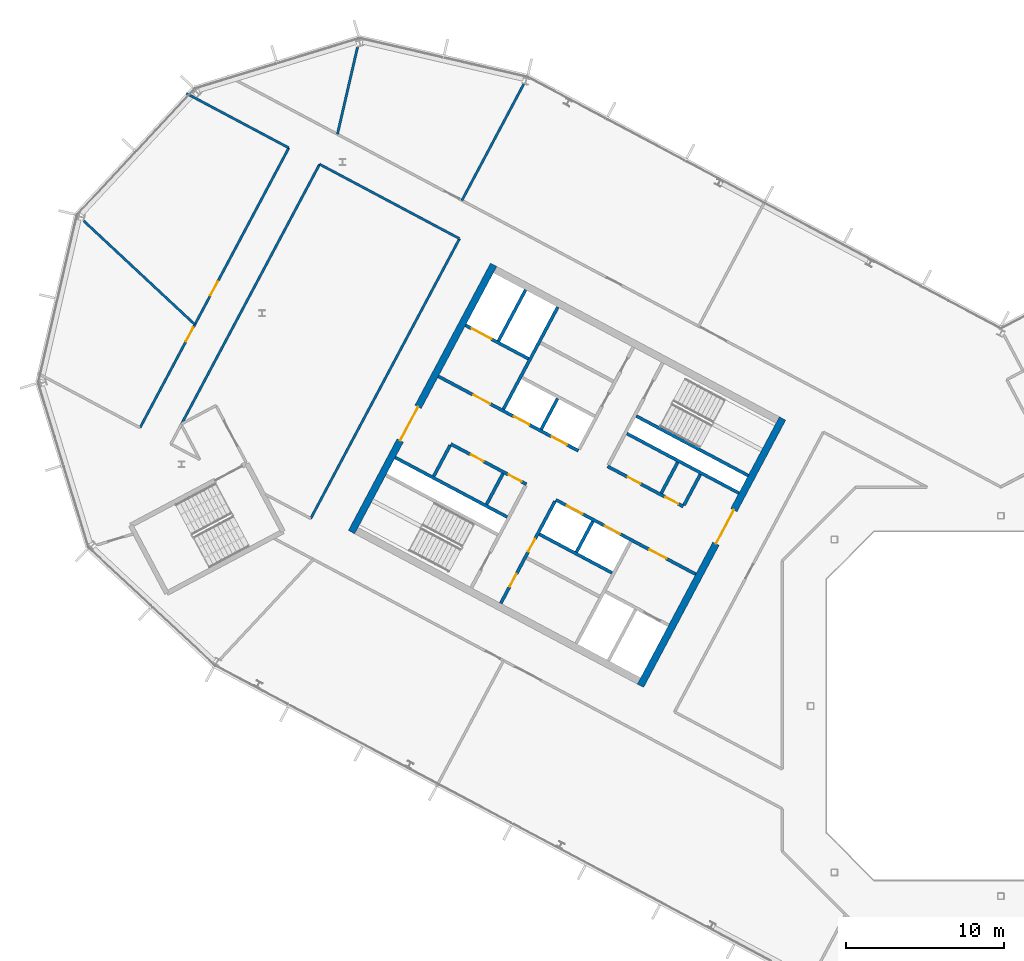
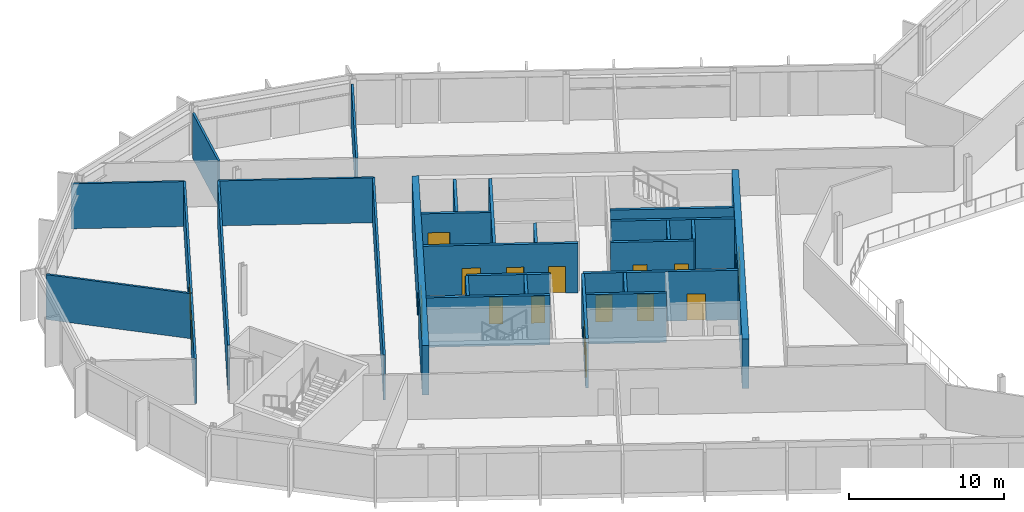
# One storey, part 14 of 26: 28 walls, 17 doors, 17 openings.
"""IFC4 building model written with IfcOpenShell, lengths in metres."""

import ifcopenshell
import ifcopenshell.guid

model = None  # the IFC model being written
_history = None  # IfcOwnerHistory: only IFC2X3 demands one
_inside = {}  # id of a spatial element -> (the spatial element, [elements in it])
_under = {}  # id of a project, library or spatial element -> (it, [spatial elements below it])
_declared = {}  # id of a project -> (the project, [libraries it declares])
_typed = {}  # id of a type object -> (the type object, [elements of that type])
_made_of = {}  # id of a material, layer set ... -> (it, [elements and type objects made of it])


def new_model(schema):
    """Start an empty IFC model of exactly this schema.

    Asked for "IFC4X3", IfcOpenShell would pick the latest addendum, in which some entities
    have other attributes; the version numbers below select the first issue.
    IFC2X3 requires an IfcOwnerHistory on every rooted entity: one is made here for all.
    """
    global model, _history
    if schema == "IFC4X3":
        model = ifcopenshell.file(schema_version=(4, 3, 0, 0))
    else:
        model = ifcopenshell.file(schema=schema)
    _inside.clear()
    _under.clear()
    _declared.clear()
    _typed.clear()
    _made_of.clear()
    _history = None
    if model.schema == "IFC2X3":
        org = make("IfcOrganization", Name="unknown")
        user = make(
            "IfcPersonAndOrganization",
            ThePerson=make("IfcPerson", FamilyName="unknown"),
            TheOrganization=org,
        )
        app = make(
            "IfcApplication",
            ApplicationDeveloper=org,
            Version="unknown",
            ApplicationFullName="unknown",
            ApplicationIdentifier="unknown",
        )
        _history = make(
            "IfcOwnerHistory",
            OwningUser=user,
            OwningApplication=app,
            ChangeAction="ADDED",
            CreationDate=0,
        )
    return model


def make(cls, **values):
    """One entity of the class cls with the attributes given. An attribute that is None is left unset."""
    return model.create_entity(
        cls, **{name: value for name, value in values.items() if value is not None}
    )


def rooted(cls, **values):
    """An entity with a GlobalId (a new one), such as an element, a storey or a relation."""
    return make(cls, GlobalId=ifcopenshell.guid.new(), OwnerHistory=_history, **values)


def si_unit(unit_type, name, prefix=None):
    """IfcSIUnit, for example si_unit("LENGTHUNIT", "METRE", prefix="MILLI")."""
    return make("IfcSIUnit", UnitType=unit_type, Prefix=prefix, Name=name)


def assignment(units):
    """IfcUnitAssignment: the units of a project."""
    return None if units is None else make("IfcUnitAssignment", Units=units)


def point(xyz):
    """IfcCartesianPoint."""
    return None if xyz is None else make("IfcCartesianPoint", Coordinates=xyz)


def direction(xyz):
    """IfcDirection."""
    return None if xyz is None else make("IfcDirection", DirectionRatios=xyz)


def frame(location, z_axis=None, x_axis=None):
    """IfcAxis2Placement3D, a coordinate frame: its origin and axes. An axis left out is left unset."""
    return make(
        "IfcAxis2Placement3D",
        Location=point(location),
        Axis=direction(z_axis),
        RefDirection=direction(x_axis),
    )


def frame_2d(location, x_axis=None):
    """IfcAxis2Placement2D, a coordinate frame in the plane: its origin and x axis."""
    return make(
        "IfcAxis2Placement2D", Location=point(location), RefDirection=direction(x_axis)
    )


def origin():
    """The frame at (0, 0, 0) with its axes left unset."""
    return frame((0.0, 0.0, 0.0))


def place(relative_to, where):
    """IfcLocalPlacement: puts the frame where relative to a parent placement (None: the world)."""
    return make(
        "IfcLocalPlacement", PlacementRelTo=relative_to, RelativePlacement=where
    )


def context(
    kind, dimensions, precision=None, world=None, true_north=None, identifier=None
):
    """IfcGeometricRepresentationContext, for example the 3D "Model" context."""
    return make(
        "IfcGeometricRepresentationContext",
        ContextIdentifier=identifier,
        ContextType=kind,
        CoordinateSpaceDimension=dimensions,
        Precision=precision,
        WorldCoordinateSystem=world,
        TrueNorth=true_north,
    )


def subcontext(parent, identifier, kind, view, scale=None):
    """IfcGeometricRepresentationSubContext, for example "Body" below "Model"."""
    return make(
        "IfcGeometricRepresentationSubContext",
        ContextIdentifier=identifier,
        ContextType=kind,
        ParentContext=parent,
        TargetScale=scale,
        TargetView=view,
    )


def project(units=None, contexts=None):
    """IfcProject with its units and contexts."""
    return rooted(
        "IfcProject",
        Name="project",
        RepresentationContexts=contexts,
        UnitsInContext=assignment(units),
    )


def spatial(cls, under=None, at=None, **own):
    """A site, building, storey or space (cls), placed at a placement, below another one or the project."""
    s = rooted(cls, ObjectPlacement=at, **own)
    if under is not None:
        _under.setdefault(under.id(), (under, []))[1].append(s)
    return s


def profile(cls, at=None, kind="AREA", **sizes):
    """A parametric profile (cls). Its sizes go by their IFC names, for example OverallWidth=200.0."""
    return make(cls, ProfileType=kind, Position=at, **sizes)


def rectangle(**sizes):
    """IfcRectangleProfileDef."""
    return profile("IfcRectangleProfileDef", **sizes)


def extrude(swept, where, along, depth):
    """IfcExtrudedAreaSolid: the profile swept, set in the frame where, extruded along a direction by depth."""
    return make(
        "IfcExtrudedAreaSolid",
        SweptArea=swept,
        Position=where,
        ExtrudedDirection=direction(along),
        Depth=depth,
    )


def shape(context_of_items, identifier, shape_type, items):
    """IfcShapeRepresentation: the items that make up one representation, for example the "Body"."""
    return make(
        "IfcShapeRepresentation",
        ContextOfItems=context_of_items,
        RepresentationIdentifier=identifier,
        RepresentationType=shape_type,
        Items=items,
    )


def material(Name=None, Category=None):
    """IfcMaterial."""
    return make("IfcMaterial", Name=Name, Category=Category)


def layer(
    of_material, thickness, ventilated=None, Name=None, Category=None, Priority=None
):
    """IfcMaterialLayer: one layer of a wall or slab, of a material (None: an air gap)."""
    return make(
        "IfcMaterialLayer",
        Material=of_material,
        LayerThickness=thickness,
        IsVentilated=ventilated,
        Name=Name,
        Category=Category,
        Priority=Priority,
    )


def layer_set(layers, Name=None):
    """IfcMaterialLayerSet."""
    return make("IfcMaterialLayerSet", MaterialLayers=layers, LayerSetName=Name)


def made_of(thing, what):
    """Note that an element or type object is made of a material, layer set ...; save() writes the relation."""
    if what is not None:
        _made_of.setdefault(what.id(), (what, []))[1].append(thing)
    return thing


def type_object(cls, material=None, **own):
    """A type object (cls), such as IfcWallType, which elements share."""
    return made_of(rooted(cls, **own), material)


def element(
    cls,
    number,
    at=None,
    inside=None,
    cuts=None,
    type_object=None,
    material=None,
    context=None,
    identifier="Body",
    shape_type=None,
    held_by="IfcProductDefinitionShape",
    body=None,
    shapes=None,
    **own,
):
    """One element of the class cls, such as IfcWall. Its Tag is "e" and its number.

    at: its placement. inside: the storey or other place that contains it. cuts: it is an
    opening in that element (IfcRelVoidsElement). A single representation is given by context,
    identifier, shape_type and body (its items); several are given by shapes. held_by: the class
    of the entity that holds the representations. save() writes the other relations.
    """
    e = rooted(cls, Tag="e%d" % number, ObjectPlacement=at, **own)
    if body is not None:
        shapes = [shape(context, identifier, shape_type, body)]
    if shapes is not None:
        e.Representation = make(held_by, Representations=shapes)
    if inside is not None:
        _inside.setdefault(inside.id(), (inside, []))[1].append(e)
    if cuts is not None:
        rooted(
            "IfcRelVoidsElement", RelatingBuildingElement=cuts, RelatedOpeningElement=e
        )
    if type_object is not None:
        _typed.setdefault(type_object.id(), (type_object, []))[1].append(e)
    return made_of(e, material)


def fill(opening, filler):
    """IfcRelFillsElement: the door or window that sits in an opening."""
    return rooted(
        "IfcRelFillsElement",
        RelatingOpeningElement=opening,
        RelatedBuildingElement=filler,
    )


def aggregate(whole, parts):
    """IfcRelAggregates: a whole, such as a stair, and the parts it consists of."""
    return rooted("IfcRelAggregates", RelatingObject=whole, RelatedObjects=parts)


def save(model, path):
    """Write the relations noted so far, then the file.

    IfcRelAggregates (storeys below a building ...), IfcRelContainedInSpatialStructure (elements
    in a storey), IfcRelDefinesByType, IfcRelAssociatesMaterial and IfcRelDeclares: one each for
    every whole, place, type object, material and project.
    """
    for whole, parts in _under.values():
        aggregate(whole, parts)
    for where, things in _inside.values():
        rooted(
            "IfcRelContainedInSpatialStructure",
            RelatedElements=things,
            RelatingStructure=where,
        )
    for kind, things in _typed.values():
        rooted("IfcRelDefinesByType", RelatedObjects=things, RelatingType=kind)
    for what, things in _made_of.values():
        rooted("IfcRelAssociatesMaterial", RelatedObjects=things, RelatingMaterial=what)
    for by, libraries in _declared.values():
        rooted("IfcRelDeclares", RelatingContext=by, RelatedDefinitions=libraries)
    model.write(path)


model = new_model("IFC4")

# Units and contexts
model_context = context("Model", 3, precision=1e-05, world=origin(), true_north=direction((0.0, 1.0)))
body_context = subcontext(model_context, "Body", "Model", "MODEL_VIEW")
ifc_project = project(units=[si_unit("LENGTHUNIT", "METRE"), si_unit("AREAUNIT", "SQUARE_METRE"), si_unit("VOLUMEUNIT", "CUBIC_METRE"), si_unit("PLANEANGLEUNIT", "RADIAN"), si_unit("MASSUNIT", "GRAM", prefix="KILO")], contexts=[model_context])

# Site, building, storey
site_placement = place(None, origin())
site = spatial("IfcSite", under=ifc_project, at=site_placement, CompositionType="ELEMENT")
building_placement = place(site_placement, origin())
building = spatial("IfcBuilding", under=site, at=building_placement, Name="Cormorant Relay Tower", CompositionType="ELEMENT")
storey_placement = place(building_placement, frame((0.0, 0.0, 277.5)))
storey = spatial("IfcBuildingStorey", under=building, at=storey_placement, Name="L62", CompositionType="ELEMENT", Elevation=277.5)

# Walls
ifc_material_1 = material(Name="Concrete 40 MPa", Category="concrete")
ifc_layer_1 = layer(ifc_material_1, 0.199951171875)
ifc_layer_set_1 = layer_set([ifc_layer_1], Name="Core internal wall 200")
wall_type_1 = type_object("IfcWallType", Name="Core internal wall 200", PredefinedType="SOLIDWALL", material=ifc_layer_set_1)
wall_1_placement = place(storey_placement, frame((-20.39013671875, 15.371826171875, 0.0), z_axis=(0.0, 0.0, 1.0), x_axis=(-0.4694473164, -0.882960484464, 0.0)))
element("IfcWall", 1, at=wall_1_placement, inside=storey, type_object=wall_type_1, Name="L62 core A shaft and room wall", PredefinedType="SOLIDWALL", context=body_context, shape_type="SweptSolid", body=[
    extrude(rectangle(XDim=2.199951171875, YDim=0.199951171875, at=frame_2d((1.10009765625, 0.0))), origin(), (0.0, 0.0, 1.0), 3.89990234375),
])
wall_2_placement = place(storey_placement, frame((-25.744140625, 11.64990234375, 0.0), z_axis=(0.0, 0.0, 1.0), x_axis=(-0.469487830541, -0.882938942948, 0.0)))
element("IfcWall", 2, at=wall_2_placement, inside=storey, type_object=wall_type_1, Name="L62 core A shaft and room wall", PredefinedType="SOLIDWALL", context=body_context, shape_type="SweptSolid", body=[
    extrude(rectangle(XDim=2.2001953125, YDim=0.199951171875, at=frame_2d((1.10009765625, 0.0))), origin(), (0.0, 0.0, 1.0), 3.89990234375),
])
for number, where, z_axis, x_axis, name in (
    (3, (-27.9658203125, 19.39990234375, 0.0), (0.0, 0.0, 1.0), (-0.4694473164, -0.882960484464, 0.0), "L62 core A shaft and room wall"),
    (4, (-31.41259765625, 14.663818359375, 0.0), (0.0, 0.0, 1.0), (-0.469533832133, -0.882914480843, 0.0), "L62 core A shaft and room wall"),
):
    element("IfcWall", number, at=place(storey_placement, frame(where, z_axis=z_axis, x_axis=x_axis)), inside=storey, type_object=wall_type_1, Name=name, PredefinedType="SOLIDWALL", context=body_context, shape_type="SweptSolid", body=[
        extrude(rectangle(XDim=2.199951171875, YDim=0.199951171875, at=frame_2d((1.10009765625, 0.0))), origin(), (0.0, 0.0, 1.0), 3.89990234375),
    ])
ifc_material_2 = material(Name="Concrete 50 MPa", Category="concrete")
ifc_layer_2 = layer(ifc_material_2, 0.199951171875)
ifc_layer_set_2 = layer_set([ifc_layer_2], Name="Core shaft wall 200")
wall_type_2 = type_object("IfcWallType", Name="Core shaft wall 200", PredefinedType="SHEAR", material=ifc_layer_set_2)
wall_3_placement = place(storey_placement, frame((-18.959716796875, 14.611328125, 0.0), z_axis=(0.0, 0.0, 1.0), x_axis=(-0.4694473164, -0.882960484464, 0.0)))
element("IfcWall", 5, at=wall_3_placement, inside=storey, type_object=wall_type_2, Name="L62 core A shaft wall", PredefinedType="SHEAR", context=body_context, shape_type="SweptSolid", body=[
    extrude(rectangle(XDim=2.199951171875, YDim=0.199951171875, at=frame_2d((1.10009765625, 0.0))), origin(), (0.0, 0.0, 1.0), 3.89990234375),
])

# Wall, openings, doors
wall_4_placement = place(storey_placement, frame((-28.128173828125, 12.91748046875, 0.0), z_axis=(0.0, 0.0, 1.0), x_axis=(-0.469454336211, -0.882956752176, 0.0)))
wall_4 = element("IfcWall", 6, at=wall_4_placement, inside=storey, type_object=wall_type_2, Name="L62 core A shaft wall", PredefinedType="SHEAR", context=body_context, shape_type="SweptSolid", body=[
    extrude(rectangle(XDim=7.300048828125, YDim=0.199951171875, at=frame_2d((3.64990234375, 0.0))), origin(), (0.0, 0.0, 1.0), 3.89990234375),
])
opening_1_placement = place(wall_4_placement, frame((2.699951171875, 0.0, 0.0)))
opening_1 = element("IfcOpeningElement", 7, at=opening_1_placement, cuts=wall_4, Name="Opening CDD-324", PredefinedType="OPENING", context=body_context, shape_type="SweptSolid", body=[
    extrude(rectangle(XDim=0.89990234375, YDim=2.10009765625, at=frame_2d((0.449951171875, 1.050048828125))), frame((0.0, 0.10986328125, 0.0), z_axis=(0.0, -1.0, 0.0), x_axis=(1.0, 0.0, 0.0)), (0.0, 0.0, 1.0), 0.219970703125),
])
opening_2_placement = place(wall_4_placement, frame((5.199951171875, 0.0, 0.0)))
opening_2 = element("IfcOpeningElement", 8, at=opening_2_placement, cuts=wall_4, Name="Opening CDD-325", PredefinedType="OPENING", context=body_context, shape_type="SweptSolid", body=[
    extrude(rectangle(XDim=0.89990234375, YDim=2.10009765625, at=frame_2d((0.449951171875, 1.050048828125))), frame((0.0, 0.10986328125, 0.0), z_axis=(0.0, -1.0, 0.0), x_axis=(1.0, 0.0, 0.0)), (0.0, 0.0, 1.0), 0.219970703125),
])
ifc_material_3 = material(Name="Steel fire door", Category="steel")
door_type_1 = type_object("IfcDoorType", Name="Core room door 900x2100", OperationType="SINGLE_SWING_LEFT", PredefinedType="DOOR", material=ifc_material_3)
door_1_placement = place(opening_1_placement, origin())
door_1 = element("IfcDoor", 9, at=door_1_placement, inside=storey, type_object=door_type_1, Name="Core room door 900x2100", OperationType="SINGLE_SWING_LEFT", OverallHeight=2.10009765625, OverallWidth=0.89990234375, PredefinedType="DOOR", context=body_context, shape_type="SweptSolid", body=[
    extrude(rectangle(XDim=0.89990234375, YDim=2.10009765625, at=frame_2d((0.449951171875, 1.050048828125))), frame((0.0, 0.02490234375, 0.0), z_axis=(0.0, -1.0, 0.0), x_axis=(1.0, 0.0, 0.0)), (0.0, 0.0, 1.0), 0.050048828125),
])
fill(opening_1, door_1)
door_2_placement = place(opening_2_placement, origin())
door_2 = element("IfcDoor", 10, at=door_2_placement, inside=storey, type_object=door_type_1, Name="Core room door 900x2100", OperationType="SINGLE_SWING_LEFT", OverallHeight=2.10009765625, OverallWidth=0.89990234375, PredefinedType="DOOR", context=body_context, shape_type="SweptSolid", body=[
    extrude(rectangle(XDim=0.89990234375, YDim=2.10009765625, at=frame_2d((0.449951171875, 1.050048828125))), frame((0.0, 0.02490234375, 0.0), z_axis=(0.0, -1.0, 0.0), x_axis=(1.0, 0.0, 0.0)), (0.0, 0.0, 1.0), 0.050048828125),
])
fill(opening_2, door_2)

# Walls
wall_5_placement = place(storey_placement, frame((-27.955322265625, 25.170654296875, 0.0), z_axis=(0.0, 0.0, 1.0), x_axis=(-0.469480409012, -0.88294288918, 0.0)))
element("IfcWall", 11, at=wall_5_placement, inside=storey, type_object=wall_type_2, Name="L62 core A shaft wall", PredefinedType="SHEAR", context=body_context, shape_type="SweptSolid", body=[
    extrude(rectangle(XDim=7.300048828125, YDim=0.199951171875, at=frame_2d((3.64990234375, 0.0))), origin(), (0.0, 0.0, 1.0), 3.89990234375),
])
wall_6_placement = place(storey_placement, frame((-34.750244140625, 16.4384765625, 0.0), z_axis=(0.0, 0.0, 1.0), x_axis=(-0.469401318492, -0.882984938828, 0.0)))
element("IfcWall", 12, at=wall_6_placement, inside=storey, type_object=wall_type_2, Name="L62 core A shaft wall", PredefinedType="SHEAR", context=body_context, shape_type="SweptSolid", body=[
    extrude(rectangle(XDim=2.199951171875, YDim=0.199951171875, at=frame_2d((1.10009765625, 0.0))), origin(), (0.0, 0.0, 1.0), 3.89990234375),
])
wall_7_placement = place(storey_placement, frame((-29.986083984375, 26.250244140625, 0.0), z_axis=(0.0, 0.0, 1.0), x_axis=(-0.469494272526, -0.882935517501, 0.0)))
element("IfcWall", 13, at=wall_7_placement, inside=storey, type_object=wall_type_2, Name="L62 core A shaft wall", PredefinedType="SHEAR", context=body_context, shape_type="SweptSolid", body=[
    extrude(rectangle(XDim=3.64990234375, YDim=0.199951171875, at=frame_2d((1.824951171875, 0.0))), origin(), (0.0, 0.0, 1.0), 3.89990234375),
])
wall_8_placement = place(storey_placement, frame((-15.94189453125, 14.53564453125, 0.0), z_axis=(0.0, 0.0, 1.0), x_axis=(-0.882946947542, 0.469472776449, 0.0)))
element("IfcWall", 14, at=wall_8_placement, inside=storey, type_object=wall_type_2, Name="L62 core A shaft wall", PredefinedType="SHEAR", context=body_context, shape_type="SweptSolid", body=[
    extrude(rectangle(XDim=8.000244140625, YDim=0.199951171875, at=frame_2d((4.0, 0.0))), origin(), (0.0, 0.0, 1.0), 3.89990234375),
])

# Wall, opening, door
wall_9_placement = place(storey_placement, frame((-29.80419921875, 21.906494140625, 0.0), z_axis=(0.0, 0.0, 1.0), x_axis=(-0.882960433586, 0.469447412093, 0.0)))
wall_9 = element("IfcWall", 15, at=wall_9_placement, inside=storey, type_object=wall_type_2, Name="L62 core A shaft wall", PredefinedType="SHEAR", context=body_context, shape_type="SweptSolid", body=[
    extrude(rectangle(XDim=4.5, YDim=0.199951171875, at=frame_2d((2.25, 0.0))), origin(), (0.0, 0.0, 1.0), 3.89990234375),
])
opening_3_placement = place(wall_9_placement, frame((2.64990234375, 0.0, 0.0)))
opening_3 = element("IfcOpeningElement", 16, at=opening_3_placement, cuts=wall_9, Name="Opening LD3-015", PredefinedType="OPENING", context=body_context, shape_type="SweptSolid", body=[
    extrude(rectangle(XDim=1.39990234375, YDim=2.39990234375, at=frame_2d((0.699951171875, 1.199951171875))), frame((0.0, 0.10986328125, 0.0), z_axis=(0.0, -1.0, 0.0), x_axis=(1.0, 0.0, 0.0)), (0.0, 0.0, 1.0), 0.219970703125),
])
ifc_material_4 = material(Name="Stainless steel 316", Category="steel")
door_type_2 = type_object("IfcDoorType", Name="Lift landing door 1400x2400", OperationType="DOUBLE_DOOR_SLIDING", PredefinedType="DOOR", material=ifc_material_4)
door_3_placement = place(opening_3_placement, origin())
door_3 = element("IfcDoor", 17, at=door_3_placement, inside=storey, type_object=door_type_2, Name="SV1 landing door", OperationType="DOUBLE_DOOR_SLIDING", OverallHeight=2.39990234375, OverallWidth=1.39990234375, PredefinedType="DOOR", context=body_context, shape_type="SweptSolid", body=[
    extrude(rectangle(XDim=1.39990234375, YDim=2.39990234375, at=frame_2d((0.699951171875, 1.199951171875))), frame((0.0, 0.02490234375, 0.0), z_axis=(0.0, -1.0, 0.0), x_axis=(1.0, 0.0, 0.0)), (0.0, 0.0, 1.0), 0.050048828125),
])
fill(opening_3, door_3)

# Wall
wall_10_placement = place(storey_placement, frame((-16.52880859375, 13.43212890625, 0.0), z_axis=(0.0, 0.0, 1.0), x_axis=(-0.88295287151, 0.469461634952, 0.0)))
element("IfcWall", 18, at=wall_10_placement, inside=storey, type_object=wall_type_2, Name="L62 core A shaft wall", PredefinedType="SHEAR", context=body_context, shape_type="SweptSolid", body=[
    extrude(rectangle(XDim=7.999755859375, YDim=0.199951171875, at=frame_2d((4.0, 0.0))), origin(), (0.0, 0.0, 1.0), 3.89990234375),
])

# Wall, openings, doors
wall_11_placement = place(storey_placement, frame((-20.03955078125, 12.58056640625, 0.0), z_axis=(0.0, 0.0, 1.0), x_axis=(-0.882942972946, 0.469480251476, 0.0)))
wall_11 = element("IfcWall", 19, at=wall_11_placement, inside=storey, type_object=wall_type_2, Name="L62 core A shaft wall", PredefinedType="SHEAR", context=body_context, shape_type="SweptSolid", body=[
    extrude(rectangle(XDim=5.39990234375, YDim=0.199951171875, at=frame_2d((2.699951171875, 0.0))), origin(), (0.0, 0.0, 1.0), 3.89990234375),
])
opening_4_placement = place(wall_11_placement, frame((0.360107421875, 0.0, 0.0)))
opening_4 = element("IfcOpeningElement", 20, at=opening_4_placement, cuts=wall_11, Name="Opening CDD-322", PredefinedType="OPENING", context=body_context, shape_type="SweptSolid", body=[
    extrude(rectangle(XDim=0.89990234375, YDim=2.10009765625, at=frame_2d((0.449951171875, 1.050048828125))), frame((0.0, 0.10986328125, 0.0), z_axis=(0.0, -1.0, 0.0), x_axis=(1.0, 0.0, 0.0)), (0.0, 0.0, 1.0), 0.219970703125),
])
opening_5_placement = place(wall_11_placement, frame((3.06005859375, 0.0, 0.0)))
opening_5 = element("IfcOpeningElement", 21, at=opening_5_placement, cuts=wall_11, Name="Opening CDD-323", PredefinedType="OPENING", context=body_context, shape_type="SweptSolid", body=[
    extrude(rectangle(XDim=0.89990234375, YDim=2.10009765625, at=frame_2d((0.449951171875, 1.050048828125))), frame((0.0, 0.10986328125, 0.0), z_axis=(0.0, -1.0, 0.0), x_axis=(1.0, 0.0, 0.0)), (0.0, 0.0, 1.0), 0.219970703125),
])
door_4_placement = place(opening_4_placement, origin())
door_4 = element("IfcDoor", 22, at=door_4_placement, inside=storey, type_object=door_type_1, Name="Core room door 900x2100", OperationType="SINGLE_SWING_LEFT", OverallHeight=2.10009765625, OverallWidth=0.89990234375, PredefinedType="DOOR", context=body_context, shape_type="SweptSolid", body=[
    extrude(rectangle(XDim=0.89990234375, YDim=2.10009765625, at=frame_2d((0.449951171875, 1.050048828125))), frame((0.0, 0.02490234375, 0.0), z_axis=(0.0, -1.0, 0.0), x_axis=(1.0, 0.0, 0.0)), (0.0, 0.0, 1.0), 0.050048828125),
])
fill(opening_4, door_4)
door_5_placement = place(opening_5_placement, origin())
door_5 = element("IfcDoor", 23, at=door_5_placement, inside=storey, type_object=door_type_1, Name="Core room door 900x2100", OperationType="SINGLE_SWING_LEFT", OverallHeight=2.10009765625, OverallWidth=0.89990234375, PredefinedType="DOOR", context=body_context, shape_type="SweptSolid", body=[
    extrude(rectangle(XDim=0.89990234375, YDim=2.10009765625, at=frame_2d((0.449951171875, 1.050048828125))), frame((0.0, 0.02490234375, 0.0), z_axis=(0.0, -1.0, 0.0), x_axis=(1.0, 0.0, 0.0)), (0.0, 0.0, 1.0), 0.050048828125),
])
fill(opening_5, door_5)

wall_12_placement = place(storey_placement, frame((-26.66162109375, 16.1015625, 0.0), z_axis=(0.0, 0.0, 1.0), x_axis=(-0.882940221191, 0.469485426614, 0.0)))
wall_12 = element("IfcWall", 24, at=wall_12_placement, inside=storey, type_object=wall_type_2, Name="L62 core A shaft wall", PredefinedType="SHEAR", context=body_context, shape_type="SweptSolid", body=[
    extrude(rectangle(XDim=10.0, YDim=0.199951171875, at=frame_2d((5.0, 0.0))), origin(), (0.0, 0.0, 1.0), 3.89990234375),
])
opening_6_placement = place(wall_12_placement, frame((6.300048828125, 0.0, 0.0)))
opening_6 = element("IfcOpeningElement", 25, at=opening_6_placement, cuts=wall_12, Name="Opening CDC-034", PredefinedType="OPENING", context=body_context, shape_type="SweptSolid", body=[
    extrude(rectangle(XDim=1.199951171875, YDim=2.10009765625, at=frame_2d((0.60009765625, 1.050048828125))), frame((0.0, 0.10986328125, 0.0), z_axis=(0.0, -1.0, 0.0), x_axis=(1.0, 0.0, 0.0)), (0.0, 0.0, 1.0), 0.219970703125),
])
opening_7_placement = place(wall_12_placement, frame((0.800048828125, 0.0, 0.0)))
opening_7 = element("IfcOpeningElement", 26, at=opening_7_placement, cuts=wall_12, Name="Opening LD1-067", PredefinedType="OPENING", context=body_context, shape_type="SweptSolid", body=[
    extrude(rectangle(XDim=1.10009765625, YDim=2.10009765625, at=frame_2d((0.550048828125, 1.050048828125))), frame((0.0, 0.10986328125, 0.0), z_axis=(0.0, -1.0, 0.0), x_axis=(1.0, 0.0, 0.0)), (0.0, 0.0, 1.0), 0.219970703125),
])
opening_8_placement = place(wall_12_placement, frame((3.5, 0.0, 0.0)))
opening_8 = element("IfcOpeningElement", 27, at=opening_8_placement, cuts=wall_12, Name="Opening LD1-068", PredefinedType="OPENING", context=body_context, shape_type="SweptSolid", body=[
    extrude(rectangle(XDim=1.10009765625, YDim=2.10009765625, at=frame_2d((0.550048828125, 1.050048828125))), frame((0.0, 0.10986328125, 0.0), z_axis=(0.0, -1.0, 0.0), x_axis=(1.0, 0.0, 0.0)), (0.0, 0.0, 1.0), 0.219970703125),
])
ifc_material_5 = material(Name="Steel fire door", Category="steel")
door_type_3 = type_object("IfcDoorType", Name="Core lobby door 1200x2100", OperationType="SINGLE_SWING_LEFT", PredefinedType="DOOR", material=ifc_material_5)
door_6_placement = place(opening_6_placement, origin())
door_6 = element("IfcDoor", 28, at=door_6_placement, inside=storey, type_object=door_type_3, Name="Core lobby door 1200x2100", OperationType="SINGLE_SWING_LEFT", OverallHeight=2.10009765625, OverallWidth=1.199951171875, PredefinedType="DOOR", context=body_context, shape_type="SweptSolid", body=[
    extrude(rectangle(XDim=1.199951171875, YDim=2.10009765625, at=frame_2d((0.60009765625, 1.050048828125))), frame((0.0, 0.02490234375, 0.0), z_axis=(0.0, -1.0, 0.0), x_axis=(1.0, 0.0, 0.0)), (0.0, 0.0, 1.0), 0.050048828125),
])
fill(opening_6, door_6)
ifc_material_6 = material(Name="Stainless steel 316", Category="steel")
door_type_4 = type_object("IfcDoorType", Name="Lift landing door 1100x2100", OperationType="DOUBLE_DOOR_SLIDING", PredefinedType="DOOR", material=ifc_material_6)
door_7_placement = place(opening_7_placement, origin())
door_7 = element("IfcDoor", 29, at=door_7_placement, inside=storey, type_object=door_type_4, Name="HR3 landing door", OperationType="DOUBLE_DOOR_SLIDING", OverallHeight=2.10009765625, OverallWidth=1.10009765625, PredefinedType="DOOR", context=body_context, shape_type="SweptSolid", body=[
    extrude(rectangle(XDim=1.10009765625, YDim=2.10009765625, at=frame_2d((0.550048828125, 1.050048828125))), frame((0.0, 0.02490234375, 0.0), z_axis=(0.0, -1.0, 0.0), x_axis=(1.0, 0.0, 0.0)), (0.0, 0.0, 1.0), 0.050048828125),
])
fill(opening_7, door_7)
door_8_placement = place(opening_8_placement, origin())
door_8 = element("IfcDoor", 30, at=door_8_placement, inside=storey, type_object=door_type_4, Name="HR4 landing door", OperationType="DOUBLE_DOOR_SLIDING", OverallHeight=2.10009765625, OverallWidth=1.10009765625, PredefinedType="DOOR", context=body_context, shape_type="SweptSolid", body=[
    extrude(rectangle(XDim=1.10009765625, YDim=2.10009765625, at=frame_2d((0.550048828125, 1.050048828125))), frame((0.0, 0.02490234375, 0.0), z_axis=(0.0, -1.0, 0.0), x_axis=(1.0, 0.0, 0.0)), (0.0, 0.0, 1.0), 0.050048828125),
])
fill(opening_8, door_8)

wall_13_placement = place(storey_placement, frame((-19.251708984375, 8.31103515625, 0.0), z_axis=(0.0, 0.0, 1.0), x_axis=(-0.882955722218, 0.469456273365, 0.0)))
wall_13 = element("IfcWall", 31, at=wall_13_placement, inside=storey, type_object=wall_type_2, Name="L62 core A shaft wall", PredefinedType="SHEAR", context=body_context, shape_type="SweptSolid", body=[
    extrude(rectangle(XDim=10.0, YDim=0.199951171875, at=frame_2d((5.0, 0.0))), origin(), (0.0, 0.0, 1.0), 3.89990234375),
])
opening_9_placement = place(wall_13_placement, frame((2.10009765625, 0.0, 0.0)))
opening_9 = element("IfcOpeningElement", 32, at=opening_9_placement, cuts=wall_13, Name="Opening CDC-033", PredefinedType="OPENING", context=body_context, shape_type="SweptSolid", body=[
    extrude(rectangle(XDim=1.199951171875, YDim=2.10009765625, at=frame_2d((0.60009765625, 1.050048828125))), frame((0.0, 0.10986328125, 0.0), z_axis=(0.0, -1.0, 0.0), x_axis=(1.0, 0.0, 0.0)), (0.0, 0.0, 1.0), 0.219970703125),
])
opening_10_placement = place(wall_13_placement, frame((5.39990234375, 0.0, 0.0)))
opening_10 = element("IfcOpeningElement", 33, at=opening_10_placement, cuts=wall_13, Name="Opening LD1-065", PredefinedType="OPENING", context=body_context, shape_type="SweptSolid", body=[
    extrude(rectangle(XDim=1.10009765625, YDim=2.10009765625, at=frame_2d((0.550048828125, 1.050048828125))), frame((0.0, 0.10986328125, 0.0), z_axis=(0.0, -1.0, 0.0), x_axis=(1.0, 0.0, 0.0)), (0.0, 0.0, 1.0), 0.219970703125),
])
opening_11_placement = place(wall_13_placement, frame((8.10009765625, 0.0, 0.0)))
opening_11 = element("IfcOpeningElement", 34, at=opening_11_placement, cuts=wall_13, Name="Opening LD1-066", PredefinedType="OPENING", context=body_context, shape_type="SweptSolid", body=[
    extrude(rectangle(XDim=1.10009765625, YDim=2.10009765625, at=frame_2d((0.550048828125, 1.050048828125))), frame((0.0, 0.10986328125, 0.0), z_axis=(0.0, -1.0, 0.0), x_axis=(1.0, 0.0, 0.0)), (0.0, 0.0, 1.0), 0.219970703125),
])
door_9_placement = place(opening_9_placement, origin())
door_9 = element("IfcDoor", 35, at=door_9_placement, inside=storey, type_object=door_type_3, Name="Core lobby door 1200x2100", OperationType="SINGLE_SWING_RIGHT", OverallHeight=2.10009765625, OverallWidth=1.199951171875, PredefinedType="DOOR", context=body_context, shape_type="SweptSolid", body=[
    extrude(rectangle(XDim=1.199951171875, YDim=2.10009765625, at=frame_2d((0.60009765625, 1.050048828125))), frame((0.0, 0.02490234375, 0.0), z_axis=(0.0, -1.0, 0.0), x_axis=(1.0, 0.0, 0.0)), (0.0, 0.0, 1.0), 0.050048828125),
])
fill(opening_9, door_9)
door_10_placement = place(opening_10_placement, origin())
door_10 = element("IfcDoor", 36, at=door_10_placement, inside=storey, type_object=door_type_4, Name="HR1 landing door", OperationType="DOUBLE_DOOR_SLIDING", OverallHeight=2.10009765625, OverallWidth=1.10009765625, PredefinedType="DOOR", context=body_context, shape_type="SweptSolid", body=[
    extrude(rectangle(XDim=1.10009765625, YDim=2.10009765625, at=frame_2d((0.550048828125, 1.050048828125))), frame((0.0, 0.02490234375, 0.0), z_axis=(0.0, -1.0, 0.0), x_axis=(1.0, 0.0, 0.0)), (0.0, 0.0, 1.0), 0.050048828125),
])
fill(opening_10, door_10)
door_11_placement = place(opening_11_placement, origin())
door_11 = element("IfcDoor", 37, at=door_11_placement, inside=storey, type_object=door_type_4, Name="HR2 landing door", OperationType="DOUBLE_DOOR_SLIDING", OverallHeight=2.10009765625, OverallWidth=1.10009765625, PredefinedType="DOOR", context=body_context, shape_type="SweptSolid", body=[
    extrude(rectangle(XDim=1.10009765625, YDim=2.10009765625, at=frame_2d((0.550048828125, 1.050048828125))), frame((0.0, 0.02490234375, 0.0), z_axis=(0.0, -1.0, 0.0), x_axis=(1.0, 0.0, 0.0)), (0.0, 0.0, 1.0), 0.050048828125),
])
fill(opening_11, door_11)

wall_14_placement = place(storey_placement, frame((-29.935302734375, 13.991455078125, 0.0), z_axis=(0.0, 0.0, 1.0), x_axis=(-0.882952937579, 0.469461510692, 0.0)))
wall_14 = element("IfcWall", 38, at=wall_14_placement, inside=storey, type_object=wall_type_2, Name="L62 core A shaft wall", PredefinedType="SHEAR", context=body_context, shape_type="SweptSolid", body=[
    extrude(rectangle(XDim=5.400146484375, YDim=0.199951171875, at=frame_2d((2.7001953125, 0.0))), origin(), (0.0, 0.0, 1.0), 3.89990234375),
])
opening_12_placement = place(wall_14_placement, frame((0.360107421875, 0.0, 0.0)))
opening_12 = element("IfcOpeningElement", 39, at=opening_12_placement, cuts=wall_14, Name="Opening CDD-320", PredefinedType="OPENING", context=body_context, shape_type="SweptSolid", body=[
    extrude(rectangle(XDim=0.89990234375, YDim=2.10009765625, at=frame_2d((0.449951171875, 1.050048828125))), frame((0.0, 0.10986328125, 0.0), z_axis=(0.0, -1.0, 0.0), x_axis=(1.0, 0.0, 0.0)), (0.0, 0.0, 1.0), 0.219970703125),
])
opening_13_placement = place(wall_14_placement, frame((3.06005859375, 0.0, 0.0)))
opening_13 = element("IfcOpeningElement", 40, at=opening_13_placement, cuts=wall_14, Name="Opening CDD-321", PredefinedType="OPENING", context=body_context, shape_type="SweptSolid", body=[
    extrude(rectangle(XDim=0.89990234375, YDim=2.10009765625, at=frame_2d((0.449951171875, 1.050048828125))), frame((0.0, 0.10986328125, 0.0), z_axis=(0.0, -1.0, 0.0), x_axis=(1.0, 0.0, 0.0)), (0.0, 0.0, 1.0), 0.219970703125),
])
door_12_placement = place(opening_12_placement, origin())
door_12 = element("IfcDoor", 41, at=door_12_placement, inside=storey, type_object=door_type_1, Name="Core room door 900x2100", OperationType="SINGLE_SWING_LEFT", OverallHeight=2.10009765625, OverallWidth=0.89990234375, PredefinedType="DOOR", context=body_context, shape_type="SweptSolid", body=[
    extrude(rectangle(XDim=0.89990234375, YDim=2.10009765625, at=frame_2d((0.449951171875, 1.050048828125))), frame((0.0, 0.02490234375, 0.0), z_axis=(0.0, -1.0, 0.0), x_axis=(1.0, 0.0, 0.0)), (0.0, 0.0, 1.0), 0.050048828125),
])
fill(opening_12, door_12)
door_13_placement = place(opening_13_placement, origin())
door_13 = element("IfcDoor", 42, at=door_13_placement, inside=storey, type_object=door_type_1, Name="Core room door 900x2100", OperationType="SINGLE_SWING_LEFT", OverallHeight=2.10009765625, OverallWidth=0.89990234375, PredefinedType="DOOR", context=body_context, shape_type="SweptSolid", body=[
    extrude(rectangle(XDim=0.89990234375, YDim=2.10009765625, at=frame_2d((0.449951171875, 1.050048828125))), frame((0.0, 0.02490234375, 0.0), z_axis=(0.0, -1.0, 0.0), x_axis=(1.0, 0.0, 0.0)), (0.0, 0.0, 1.0), 0.050048828125),
])
fill(opening_13, door_13)

# Walls
wall_15_placement = place(storey_placement, frame((-24.5283203125, 8.3984375, 0.0), z_axis=(0.0, 0.0, 1.0), x_axis=(-0.882953967957, 0.469459572775, 0.0)))
element("IfcWall", 43, at=wall_15_placement, inside=storey, type_object=wall_type_2, Name="L62 core A shaft wall", PredefinedType="SHEAR", context=body_context, shape_type="SweptSolid", body=[
    extrude(rectangle(XDim=5.199951171875, YDim=0.199951171875, at=frame_2d((2.60009765625, 0.0))), origin(), (0.0, 0.0, 1.0), 3.89990234375),
])
wall_16_placement = place(storey_placement, frame((-31.150390625, 11.91943359375, 0.0), z_axis=(0.0, 0.0, 1.0), x_axis=(-0.882940221191, 0.469485426614, 0.0)))
element("IfcWall", 44, at=wall_16_placement, inside=storey, type_object=wall_type_2, Name="L62 core A shaft wall", PredefinedType="SHEAR", context=body_context, shape_type="SweptSolid", body=[
    extrude(rectangle(XDim=8.0, YDim=0.199951171875, at=frame_2d((4.0, 0.0))), origin(), (0.0, 0.0, 1.0), 3.89990234375),
])

# Wall, opening, door
ifc_material_7 = material(Name="Concrete 50 MPa", Category="concrete")
ifc_layer_3 = layer(ifc_material_7, 0.449951171875)
ifc_layer_set_3 = layer_set([ifc_layer_3], Name="Core wall 450")
wall_type_3 = type_object("IfcWallType", Name="Core wall 450", PredefinedType="SHEAR", material=ifc_layer_set_3)
wall_17_placement = place(storey_placement, frame((-13.771484375, 18.138427734375, 0.0), z_axis=(0.0, 0.0, 1.0), x_axis=(-0.469467968382, -0.882949504028, 0.0)))
wall_17 = element("IfcWall", 45, at=wall_17_placement, inside=storey, type_object=wall_type_3, Name="L62 core A wall", PredefinedType="SHEAR", context=body_context, shape_type="SweptSolid", body=[
    extrude(rectangle(XDim=19.099853515625, YDim=0.449951171875, at=frame_2d((9.5498046875, 0.0))), origin(), (0.0, 0.0, 1.0), 3.89990234375),
])
opening_14_placement = place(wall_17_placement, frame((6.550048828125, 0.0, 0.0)))
opening_14 = element("IfcOpeningElement", 46, at=opening_14_placement, cuts=wall_17, Name="Opening CDA-050", PredefinedType="OPENING", context=body_context, shape_type="SweptSolid", body=[
    extrude(rectangle(XDim=2.39990234375, YDim=2.39990234375, at=frame_2d((1.199951171875, 1.199951171875))), frame((0.0, 0.23486328125, 0.0), z_axis=(0.0, -1.0, 0.0), x_axis=(1.0, 0.0, 0.0)), (0.0, 0.0, 1.0), 0.469970703125),
])
ifc_material_8 = material(Name="Steel fire door", Category="steel")
door_type_5 = type_object("IfcDoorType", Name="Core lobby door 2400x2400", OperationType="DOUBLE_DOOR_SINGLE_SWING", PredefinedType="DOOR", material=ifc_material_8)
door_14_placement = place(opening_14_placement, origin())
door_14 = element("IfcDoor", 47, at=door_14_placement, inside=storey, type_object=door_type_5, Name="Core lobby door 2400x2400", OperationType="DOUBLE_DOOR_SINGLE_SWING", OverallHeight=2.39990234375, OverallWidth=2.39990234375, PredefinedType="DOOR", context=body_context, shape_type="SweptSolid", body=[
    extrude(rectangle(XDim=2.39990234375, YDim=2.39990234375, at=frame_2d((1.199951171875, 1.199951171875))), frame((0.0, 0.02490234375, 0.0), z_axis=(0.0, -1.0, 0.0), x_axis=(1.0, 0.0, 0.0)), (0.0, 0.0, 1.0), 0.050048828125),
])
fill(opening_14, door_14)

wall_18_placement = place(storey_placement, frame((-32.00439453125, 27.8330078125, 0.0), z_axis=(0.0, 0.0, 1.0), x_axis=(-0.469467968382, -0.882949504028, 0.0)))
wall_18 = element("IfcWall", 48, at=wall_18_placement, inside=storey, type_object=wall_type_3, Name="L62 core A wall", PredefinedType="SHEAR", context=body_context, shape_type="SweptSolid", body=[
    extrude(rectangle(XDim=19.099853515625, YDim=0.449951171875, at=frame_2d((9.5498046875, 0.0))), origin(), (0.0, 0.0, 1.0), 3.89990234375),
])
opening_15_placement = place(wall_18_placement, frame((10.14990234375, 0.0, 0.0)))
opening_15 = element("IfcOpeningElement", 49, at=opening_15_placement, cuts=wall_18, Name="Opening CDA-051", PredefinedType="OPENING", context=body_context, shape_type="SweptSolid", body=[
    extrude(rectangle(XDim=2.39990234375, YDim=2.39990234375, at=frame_2d((1.199951171875, 1.199951171875))), frame((0.0, 0.23486328125, 0.0), z_axis=(0.0, -1.0, 0.0), x_axis=(1.0, 0.0, 0.0)), (0.0, 0.0, 1.0), 0.469970703125),
])
door_15_placement = place(opening_15_placement, origin())
door_15 = element("IfcDoor", 50, at=door_15_placement, inside=storey, type_object=door_type_5, Name="Core lobby door 2400x2400", OperationType="DOUBLE_DOOR_SINGLE_SWING", OverallHeight=2.39990234375, OverallWidth=2.39990234375, PredefinedType="DOOR", context=body_context, shape_type="SweptSolid", body=[
    extrude(rectangle(XDim=2.39990234375, YDim=2.39990234375, at=frame_2d((1.199951171875, 1.199951171875))), frame((0.0, 0.02490234375, 0.0), z_axis=(0.0, -1.0, 0.0), x_axis=(1.0, 0.0, 0.0)), (0.0, 0.0, 1.0), 0.050048828125),
])
fill(opening_15, door_15)

# Wall, openings, doors
ifc_material_9 = material(Name="Gypsum board fire partition")
ifc_layer_4 = layer(ifc_material_9, 0.14990234375)
ifc_layer_set_4 = layer_set([ifc_layer_4], Name="Corridor partition 150 EI 60")
wall_type_4 = type_object("IfcWallType", Name="Corridor partition 150 EI 60", PredefinedType="PARTITIONING", material=ifc_layer_set_4)
wall_19_placement = place(storey_placement, frame((-54.31591796875, 17.554931640625, 0.0), z_axis=(0.0, 0.0, 1.0), x_axis=(0.469446756585, 0.882960782103, 0.0)))
wall_19 = element("IfcWall", 51, at=wall_19_placement, inside=storey, type_object=wall_type_4, Name="wall/L62/part/001", PredefinedType="PARTITIONING", context=body_context, shape_type="SweptSolid", body=[
    extrude(rectangle(XDim=20.0, YDim=0.14990234375, at=frame_2d((10.0, 0.0))), origin(), (0.0, 0.0, 1.0), 3.5400390625),
])
opening_16_placement = place(wall_19_placement, frame((9.449951171875, 0.0, 0.0)))
opening_16 = element("IfcOpeningElement", 52, at=opening_16_placement, cuts=wall_19, Name="Opening DS-211", PredefinedType="OPENING", context=body_context, shape_type="SweptSolid", body=[
    extrude(rectangle(XDim=1.0, YDim=2.10009765625, at=frame_2d((0.5, 1.050048828125))), frame((0.0, 0.0849609375, 0.0), z_axis=(0.0, -1.0, 0.0), x_axis=(1.0, 0.0, 0.0)), (0.0, 0.0, 1.0), 0.169921875),
])
opening_17_placement = place(wall_19_placement, frame((6.14990234375, 0.0, 0.0)))
opening_17 = element("IfcOpeningElement", 53, at=opening_17_placement, cuts=wall_19, Name="Opening DS-212", PredefinedType="OPENING", context=body_context, shape_type="SweptSolid", body=[
    extrude(rectangle(XDim=1.0, YDim=2.10009765625, at=frame_2d((0.5, 1.050048828125))), frame((0.0, 0.0849609375, 0.0), z_axis=(0.0, -1.0, 0.0), x_axis=(1.0, 0.0, 0.0)), (0.0, 0.0, 1.0), 0.169921875),
])
ifc_material_10 = material(Name="Timber door leaf", Category="wood")
door_type_6 = type_object("IfcDoorType", Name="Suite door 1000x2100", OperationType="SINGLE_SWING_LEFT", PredefinedType="DOOR", material=ifc_material_10)
door_16_placement = place(opening_16_placement, origin())
door_16 = element("IfcDoor", 54, at=door_16_placement, inside=storey, type_object=door_type_6, Name="door/L62/001", OperationType="SINGLE_SWING_RIGHT", OverallHeight=2.10009765625, OverallWidth=1.0, PredefinedType="DOOR", context=body_context, shape_type="SweptSolid", body=[
    extrude(rectangle(XDim=1.0, YDim=2.10009765625, at=frame_2d((0.5, 1.050048828125))), frame((0.0, 0.02490234375, 0.0), z_axis=(0.0, -1.0, 0.0), x_axis=(1.0, 0.0, 0.0)), (0.0, 0.0, 1.0), 0.050048828125),
])
fill(opening_16, door_16)
door_17_placement = place(opening_17_placement, origin())
door_17 = element("IfcDoor", 55, at=door_17_placement, inside=storey, type_object=door_type_6, Name="door/L62/002", OperationType="SINGLE_SWING_RIGHT", OverallHeight=2.10009765625, OverallWidth=1.0, PredefinedType="DOOR", context=body_context, shape_type="SweptSolid", body=[
    extrude(rectangle(XDim=1.0, YDim=2.10009765625, at=frame_2d((0.5, 1.050048828125))), frame((0.0, 0.02490234375, 0.0), z_axis=(0.0, -1.0, 0.0), x_axis=(1.0, 0.0, 0.0)), (0.0, 0.0, 1.0), 0.050048828125),
])
fill(opening_17, door_17)

# Walls
wall_20_placement = place(storey_placement, frame((-44.927001953125, 35.214111328125, 0.0), z_axis=(0.0, 0.0, 1.0), x_axis=(-0.883014317612, 0.469346050258, 0.0)))
element("IfcWall", 56, at=wall_20_placement, inside=storey, type_object=wall_type_4, Name="wall/L62/part/002", PredefinedType="PARTITIONING", context=body_context, shape_type="SweptSolid", body=[
    extrude(rectangle(XDim=7.3271484375, YDim=0.14990234375, at=frame_2d((3.66357421875, 0.0))), origin(), (0.0, 0.0, 1.0), 3.5400390625),
])
wall_21_placement = place(storey_placement, frame((-51.695068359375, 17.798095703125, 0.0), z_axis=(0.0, 0.0, 1.0), x_axis=(0.469483567396, 0.88294120979, 0.0)))
element("IfcWall", 57, at=wall_21_placement, inside=storey, type_object=wall_type_4, Name="wall/L62/part/012", PredefinedType="PARTITIONING", context=body_context, shape_type="SweptSolid", body=[
    extrude(rectangle(XDim=18.554931640625, YDim=0.14990234375, at=frame_2d((9.27734375, 0.0))), origin(), (0.0, 0.0, 1.0), 3.5400390625),
])
wall_22_placement = place(storey_placement, frame((-42.98388671875, 34.180908203125, 0.0), z_axis=(0.0, 0.0, 1.0), x_axis=(0.882929457898, -0.469505668097, 0.0)))
element("IfcWall", 58, at=wall_22_placement, inside=storey, type_object=wall_type_4, Name="wall/L62/part/013", PredefinedType="PARTITIONING", context=body_context, shape_type="SweptSolid", body=[
    extrude(rectangle(XDim=9.99951171875, YDim=0.14990234375, at=frame_2d((4.999755859375, 0.0))), origin(), (0.0, 0.0, 1.0), 3.5400390625),
])
wall_23_placement = place(storey_placement, frame((-34.155029296875, 29.486083984375, 0.0), z_axis=(0.0, 0.0, 1.0), x_axis=(-0.469446756585, -0.882960782103, 0.0)))
element("IfcWall", 59, at=wall_23_placement, inside=storey, type_object=wall_type_4, Name="wall/L62/part/014", PredefinedType="PARTITIONING", context=body_context, shape_type="SweptSolid", body=[
    extrude(rectangle(XDim=20.0, YDim=0.14990234375, at=frame_2d((10.0, 0.0))), origin(), (0.0, 0.0, 1.0), 3.5400390625),
])
ifc_material_11 = material(Name="Gypsum board partition")
ifc_layer_5 = layer(ifc_material_11, 0.14990234375)
ifc_layer_set_5 = layer_set([ifc_layer_5], Name="Tenant partition 150")
wall_type_5 = type_object("IfcWallType", Name="Tenant partition 150", PredefinedType="PARTITIONING", material=ifc_layer_set_5)
wall_24_placement = place(storey_placement, frame((-57.8720703125, 30.60791015625, 0.0), z_axis=(0.0, 0.0, 1.0), x_axis=(0.731481609164, -0.681861170221, 0.0)))
element("IfcWall", 60, at=wall_24_placement, inside=storey, type_object=wall_type_5, Name="wall/L62/part/003", PredefinedType="PARTITIONING", context=body_context, shape_type="SweptSolid", body=[
    extrude(rectangle(XDim=9.59423828125, YDim=0.14990234375, at=frame_2d((4.797119140625, 0.0))), origin(), (0.0, 0.0, 1.0), 3.5400390625),
])
wall_25_placement = place(storey_placement, frame((-30.097900390625, 39.2470703125, 0.0), z_axis=(0.0, 0.0, 1.0), x_axis=(-0.469413996391, -0.882978199047, 0.0)))
element("IfcWall", 61, at=wall_25_placement, inside=storey, type_object=wall_type_5, Name="wall/L62/part/017", PredefinedType="PARTITIONING", context=body_context, shape_type="SweptSolid", body=[
    extrude(rectangle(XDim=8.322998046875, YDim=0.14990234375, at=frame_2d((4.16162109375, 0.0))), origin(), (0.0, 0.0, 1.0), 3.5400390625),
])
wall_26_placement = place(storey_placement, frame((-41.860107421875, 36.074951171875, 0.0), z_axis=(0.0, 0.0, 1.0), x_axis=(0.22499217369, 0.974360570722, 0.0)))
element("IfcWall", 62, at=wall_26_placement, inside=storey, type_object=wall_type_5, Name="wall/L62/part/018", PredefinedType="PARTITIONING", context=body_context, shape_type="SweptSolid", body=[
    extrude(rectangle(XDim=5.644775390625, YDim=0.14990234375, at=frame_2d((2.822265625, 0.0))), origin(), (0.0, 0.0, 1.0), 3.5400390625),
])

save(model, "model.ifc")
